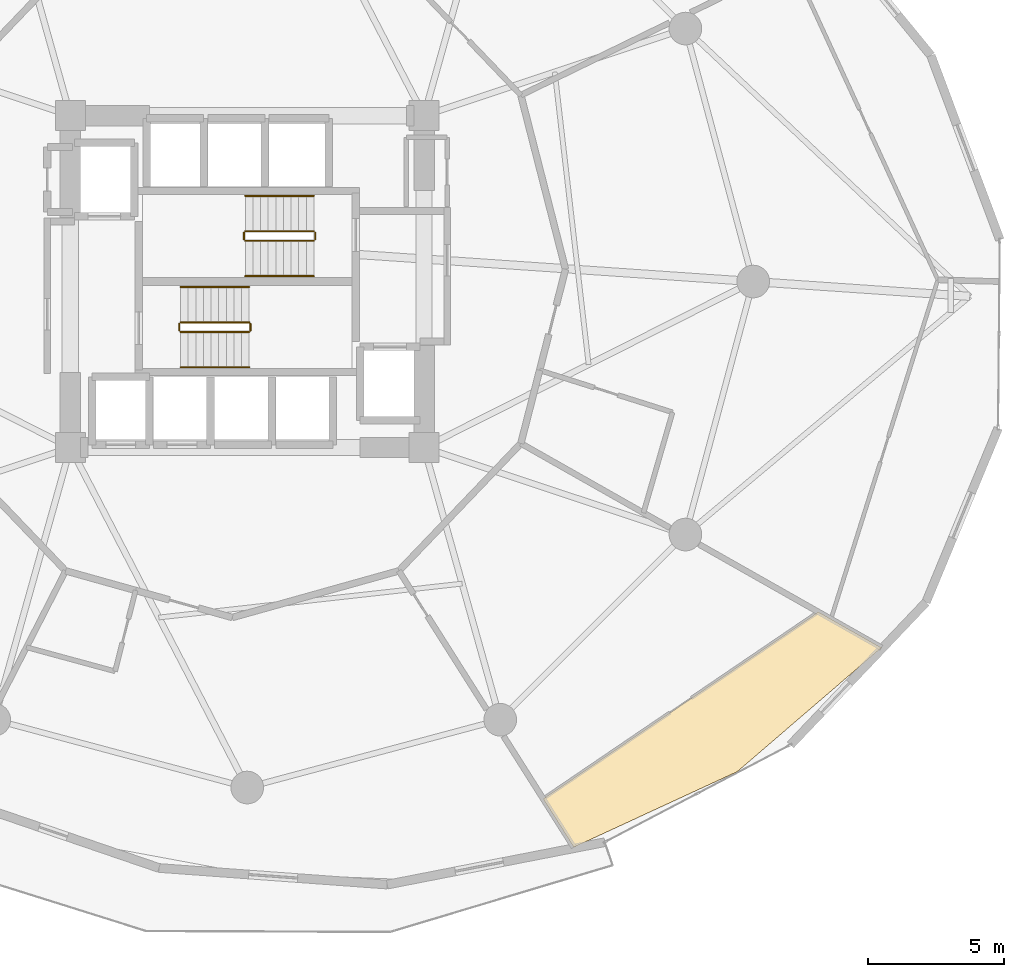
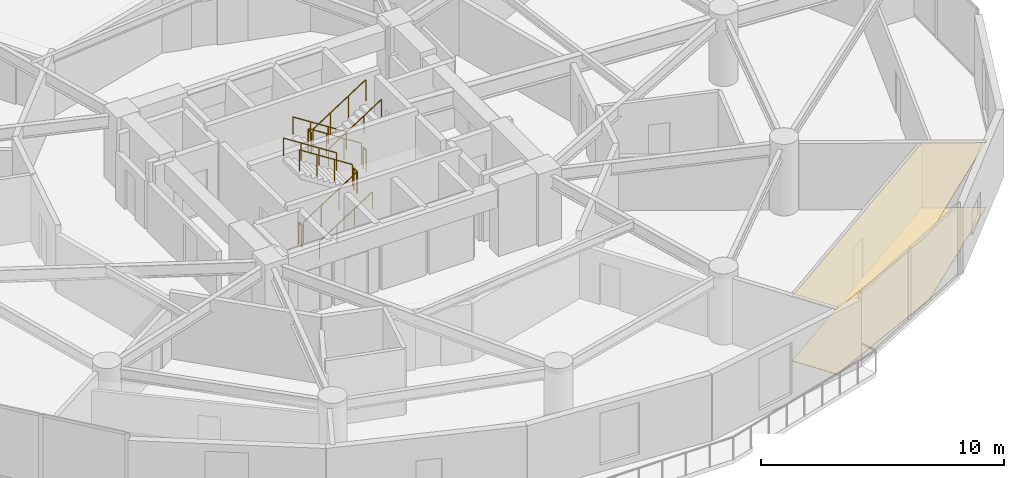
# One storey, part 19 of 20: 12 railings, 2 coverings.
"""IFC4 building model written with IfcOpenShell, lengths in metres."""

from ifc_helpers import new_model, si_unit, direction, frame, origin, origin_2d, place, context, subcontext, project, spatial, polyline, circle, outline, extrude, material, layer, layer_set, type_object, element, save


model = new_model("IFC4")

# Units and contexts
model_context = context("Model", 3, precision=1e-05, world=origin(), true_north=direction((0.0, 1.0)))
body_context = subcontext(model_context, "Body", "Model", "MODEL_VIEW")
ifc_project = project(units=[si_unit("LENGTHUNIT", "METRE"), si_unit("AREAUNIT", "SQUARE_METRE"), si_unit("VOLUMEUNIT", "CUBIC_METRE"), si_unit("PLANEANGLEUNIT", "RADIAN"), si_unit("MASSUNIT", "GRAM", prefix="KILO")], contexts=[model_context])

# Site, building, storey
site_placement = place(None, origin())
site = spatial("IfcSite", under=ifc_project, at=site_placement, CompositionType="ELEMENT")
building_placement = place(site_placement, origin())
building = spatial("IfcBuilding", under=site, at=building_placement, Name="Solvirekh Grand Hotel", CompositionType="ELEMENT")
storey_placement = place(building_placement, frame((0.0, 0.0, 50.0)))
storey = spatial("IfcBuildingStorey", under=building, at=storey_placement, Name="L11", CompositionType="ELEMENT", Elevation=50.0)

# Coverings
ifc_material_1 = material(Name="Acoustic Mineral Ceiling Tile")
ifc_layer_1 = layer(ifc_material_1, 0.02490234375)
ifc_layer_set_1 = layer_set([ifc_layer_1], Name="Acoustic Mineral Ceiling Tile")
covering_type_1 = type_object("IfcCoveringType", Name="Cov_Ceiling_Acoustic", PredefinedType="CEILING", material=ifc_layer_set_1)
covering_1_placement = place(storey_placement, frame((0.0, 0.0, 3.2900390625)))
element("IfcCovering", 1, at=covering_1_placement, inside=storey, type_object=covering_type_1, Name="L11 Diplomatic Suite 1303 Master Bedroom acoustic ceiling", PredefinedType="CEILING", context=body_context, shape_type="SweptSolid", body=[
    extrude(outline(polyline([(12.0048828125, -20.79296875), (18.014892578125, -18.014892578125), (23.31298828125, -13.4599609375), (20.993896484375, -12.14599609375), (10.8798828125, -19.014892578125), (12.0048828125, -20.79296875)])), origin(), (0.0, 0.0, 1.0), 0.01806640625),
])
ifc_material_2 = material(Name="Porcelain Stoneware Flooring", Category="masonry")
ifc_layer_2 = layer(ifc_material_2, 0.030029296875)
ifc_layer_set_2 = layer_set([ifc_layer_2], Name="Porcelain Stoneware Flooring")
covering_type_2 = type_object("IfcCoveringType", Name="Cov_Floor_Stone", PredefinedType="FLOORING", material=ifc_layer_set_2)
covering_2_placement = place(storey_placement, origin())
element("IfcCovering", 2, at=covering_2_placement, inside=storey, type_object=covering_type_2, Name="L11 Diplomatic Suite 1303 Master Bedroom polished granite flooring", PredefinedType="FLOORING", context=body_context, shape_type="SweptSolid", body=[
    extrude(outline(polyline([(12.0048828125, -20.79296875), (18.014892578125, -18.014892578125), (23.31298828125, -13.4599609375), (20.993896484375, -12.14599609375), (10.8798828125, -19.014892578125), (12.0048828125, -20.79296875)])), origin(), (0.0, 0.0, 1.0), 0.02001953125),
])

# Railings
ifc_material_3 = material(Name="Steel S355", Category="steel")
railing_type_1 = type_object("IfcRailingType", Name="Guard_Stair_1100", PredefinedType="GUARDRAIL", material=ifc_material_3)
railing_1_placement = place(storey_placement, frame((-2.449951171875, -1.85009765625, 0.179931640625)))
element("IfcRailing", 3, at=railing_1_placement, inside=storey, type_object=railing_type_1, Name="L11 ST-1 stair guard 1", PredefinedType="GUARDRAIL", context=body_context, shape_type="SweptSolid", body=[
    extrude(circle(Radius=0.02392578125, at=origin_2d()), frame((0.0, 0.0, 1.076171875), z_axis=(0.841162588446, 0.0, 0.540782303519), x_axis=(0.0, 1.0, 0.0)), (0.0, 0.0, 1.0), 2.995849609375),
    extrude(circle(Radius=0.02099609375, at=origin_2d()), origin(), (0.0, 0.0, 1.0), 1.052001953125),
    extrude(circle(Radius=0.02099609375, at=origin_2d()), frame((0.840087890625, 0.0, 0.5400390625)), (0.0, 0.0, 1.0), 1.052001953125),
    extrude(circle(Radius=0.02099609375, at=origin_2d()), frame((1.679931640625, 0.0, 1.080078125)), (0.0, 0.0, 1.0), 1.052001953125),
    extrude(circle(Radius=0.02099609375, at=origin_2d()), frame((2.52001953125, 0.0, 1.6201171875)), (0.0, 0.0, 1.0), 1.052001953125),
])
railing_2_placement = place(storey_placement, frame((0.1201171875, -1.800048828125, 1.800048828125)))
element("IfcRailing", 4, at=railing_2_placement, inside=storey, type_object=railing_type_1, Name="L11 ST-1 stair guard 2", PredefinedType="GUARDRAIL", context=body_context, shape_type="SweptSolid", body=[
    extrude(circle(Radius=0.02392578125, at=origin_2d()), frame((0.0, 0.0, 1.076171875), z_axis=(0.0, 1.0, 0.0), x_axis=(-1.0, 0.0, 0.0)), (0.0, 0.0, 1.0), 0.25),
    extrude(circle(Radius=0.02099609375, at=origin_2d()), origin(), (0.0, 0.0, 1.0), 1.052001953125),
    extrude(circle(Radius=0.02099609375, at=origin_2d()), frame((0.0, 0.25, 0.0)), (0.0, 0.0, 1.0), 1.052001953125),
])
railing_3_placement = place(storey_placement, frame((0.070068359375, -1.5, 1.97998046875)))
element("IfcRailing", 5, at=railing_3_placement, inside=storey, type_object=railing_type_1, Name="L11 ST-1 stair guard 3", PredefinedType="GUARDRAIL", context=body_context, shape_type="SweptSolid", body=[
    extrude(circle(Radius=0.02392578125, at=origin_2d()), frame((0.0, 0.0, 1.076171875), z_axis=(-0.841162588446, 0.0, 0.540782303519), x_axis=(0.0, -1.0, 0.0)), (0.0, 0.0, 1.0), 2.995849609375),
    extrude(circle(Radius=0.02099609375, at=origin_2d()), origin(), (0.0, 0.0, 1.0), 1.052001953125),
    extrude(circle(Radius=0.02099609375, at=origin_2d()), frame((-0.840087890625, 0.0, 0.5400390625)), (0.0, 0.0, 1.0), 1.052001953125),
    extrude(circle(Radius=0.02099609375, at=origin_2d()), frame((-1.679931640625, 0.0, 1.080078125)), (0.0, 0.0, 1.0), 1.052001953125),
    extrude(circle(Radius=0.02099609375, at=origin_2d()), frame((-2.52001953125, 0.0, 1.6201171875)), (0.0, 0.0, 1.0), 1.052001953125),
])
railing_4_placement = place(storey_placement, frame((-2.5, -1.800048828125, 0.0)))
element("IfcRailing", 6, at=railing_4_placement, inside=storey, type_object=railing_type_1, Name="L11 ST-1 stair guard 4", PredefinedType="GUARDRAIL", context=body_context, shape_type="SweptSolid", body=[
    extrude(circle(Radius=0.02392578125, at=origin_2d()), frame((0.0, 0.0, 1.076171875), z_axis=(0.0, 1.0, 0.0), x_axis=(-1.0, 0.0, 0.0)), (0.0, 0.0, 1.0), 0.25),
    extrude(circle(Radius=0.02099609375, at=origin_2d()), origin(), (0.0, 0.0, 1.0), 1.052001953125),
    extrude(circle(Radius=0.02099609375, at=origin_2d()), frame((0.0, 0.25, 0.0)), (0.0, 0.0, 1.0), 1.052001953125),
])
railing_5_placement = place(storey_placement, frame((2.449951171875, 1.85009765625, 0.179931640625)))
element("IfcRailing", 7, at=railing_5_placement, inside=storey, type_object=railing_type_1, Name="L11 ST-2 stair guard 1", PredefinedType="GUARDRAIL", context=body_context, shape_type="SweptSolid", body=[
    extrude(circle(Radius=0.02392578125, at=origin_2d()), frame((0.0, 0.0, 1.076171875), z_axis=(-0.841162588446, 0.0, 0.540782303519), x_axis=(0.0, -1.0, 0.0)), (0.0, 0.0, 1.0), 2.995849609375),
    extrude(circle(Radius=0.02099609375, at=origin_2d()), origin(), (0.0, 0.0, 1.0), 1.052001953125),
    extrude(circle(Radius=0.02099609375, at=origin_2d()), frame((-0.840087890625, 0.0, 0.5400390625)), (0.0, 0.0, 1.0), 1.052001953125),
    extrude(circle(Radius=0.02099609375, at=origin_2d()), frame((-1.679931640625, 0.0, 1.080078125)), (0.0, 0.0, 1.0), 1.052001953125),
    extrude(circle(Radius=0.02099609375, at=origin_2d()), frame((-2.52001953125, 0.0, 1.6201171875)), (0.0, 0.0, 1.0), 1.052001953125),
])
railing_6_placement = place(storey_placement, frame((-0.1201171875, 1.800048828125, 1.800048828125)))
element("IfcRailing", 8, at=railing_6_placement, inside=storey, type_object=railing_type_1, Name="L11 ST-2 stair guard 2", PredefinedType="GUARDRAIL", context=body_context, shape_type="SweptSolid", body=[
    extrude(circle(Radius=0.02392578125, at=origin_2d()), frame((0.0, 0.0, 1.076171875), z_axis=(0.0, -1.0, 0.0), x_axis=(1.0, 0.0, 0.0)), (0.0, 0.0, 1.0), 0.25),
    extrude(circle(Radius=0.02099609375, at=origin_2d()), origin(), (0.0, 0.0, 1.0), 1.052001953125),
    extrude(circle(Radius=0.02099609375, at=origin_2d()), frame((0.0, -0.25, 0.0)), (0.0, 0.0, 1.0), 1.052001953125),
])
railing_7_placement = place(storey_placement, frame((-0.070068359375, 1.5, 1.97998046875)))
element("IfcRailing", 9, at=railing_7_placement, inside=storey, type_object=railing_type_1, Name="L11 ST-2 stair guard 3", PredefinedType="GUARDRAIL", context=body_context, shape_type="SweptSolid", body=[
    extrude(circle(Radius=0.02392578125, at=origin_2d()), frame((0.0, 0.0, 1.076171875), z_axis=(0.841162588446, 0.0, 0.540782303519), x_axis=(0.0, 1.0, 0.0)), (0.0, 0.0, 1.0), 2.995849609375),
    extrude(circle(Radius=0.02099609375, at=origin_2d()), origin(), (0.0, 0.0, 1.0), 1.052001953125),
    extrude(circle(Radius=0.02099609375, at=origin_2d()), frame((0.840087890625, 0.0, 0.5400390625)), (0.0, 0.0, 1.0), 1.052001953125),
    extrude(circle(Radius=0.02099609375, at=origin_2d()), frame((1.679931640625, 0.0, 1.080078125)), (0.0, 0.0, 1.0), 1.052001953125),
    extrude(circle(Radius=0.02099609375, at=origin_2d()), frame((2.52001953125, 0.0, 1.6201171875)), (0.0, 0.0, 1.0), 1.052001953125),
])
railing_8_placement = place(storey_placement, frame((2.5, 1.800048828125, 0.0)))
element("IfcRailing", 10, at=railing_8_placement, inside=storey, type_object=railing_type_1, Name="L11 ST-2 stair guard 4", PredefinedType="GUARDRAIL", context=body_context, shape_type="SweptSolid", body=[
    extrude(circle(Radius=0.02392578125, at=origin_2d()), frame((0.0, 0.0, 1.076171875), z_axis=(0.0, -1.0, 0.0), x_axis=(1.0, 0.0, 0.0)), (0.0, 0.0, 1.0), 0.25),
    extrude(circle(Radius=0.02099609375, at=origin_2d()), origin(), (0.0, 0.0, 1.0), 1.052001953125),
    extrude(circle(Radius=0.02099609375, at=origin_2d()), frame((0.0, -0.25, 0.0)), (0.0, 0.0, 1.0), 1.052001953125),
])
ifc_material_4 = material(Name="Anodized Bronze Aluminium 6063-T6", Category="aluminium")
railing_type_2 = type_object("IfcRailingType", Name="Handrail_Wall_900", PredefinedType="HANDRAIL", material=ifc_material_4)
railing_9_placement = place(storey_placement, frame((-2.449951171875, -3.14990234375, 0.179931640625)))
element("IfcRailing", 11, at=railing_9_placement, inside=storey, type_object=railing_type_2, Name="L11 ST-1 stair handrail 1", PredefinedType="HANDRAIL", context=body_context, shape_type="SweptSolid", body=[
    extrude(circle(Radius=0.02392578125, at=origin_2d()), frame((0.0, 0.0, 0.8759765625), z_axis=(0.841162588446, 0.0, 0.540782303519), x_axis=(0.0, 1.0, 0.0)), (0.0, 0.0, 1.0), 2.995849609375),
    extrude(circle(Radius=0.02099609375, at=origin_2d()), origin(), (0.0, 0.0, 1.0), 0.851806640625),
    extrude(circle(Radius=0.02099609375, at=origin_2d()), frame((0.840087890625, 0.0, 0.5400390625)), (0.0, 0.0, 1.0), 0.851806640625),
    extrude(circle(Radius=0.02099609375, at=origin_2d()), frame((1.679931640625, 0.0, 1.080078125)), (0.0, 0.0, 1.0), 0.851806640625),
    extrude(circle(Radius=0.02099609375, at=origin_2d()), frame((2.52001953125, 0.0, 1.6201171875)), (0.0, 0.0, 1.0), 0.851806640625),
])
for number, where, name in (
    (12, (0.070068359375, -0.199951171875, 1.97998046875), "L11 ST-1 stair handrail 2"),
    (13, (2.449951171875, 3.14990234375, 0.179931640625), "L11 ST-2 stair handrail 1"),
):
    element("IfcRailing", number, at=place(storey_placement, frame(where)), inside=storey, type_object=railing_type_2, Name=name, PredefinedType="HANDRAIL", context=body_context, shape_type="SweptSolid", body=[
        extrude(circle(Radius=0.02392578125, at=origin_2d()), frame((0.0, 0.0, 0.8759765625), z_axis=(-0.841162588446, 0.0, 0.540782303519), x_axis=(0.0, -1.0, 0.0)), (0.0, 0.0, 1.0), 2.995849609375),
        extrude(circle(Radius=0.02099609375, at=origin_2d()), origin(), (0.0, 0.0, 1.0), 0.851806640625),
        extrude(circle(Radius=0.02099609375, at=origin_2d()), frame((-0.840087890625, 0.0, 0.5400390625)), (0.0, 0.0, 1.0), 0.851806640625),
        extrude(circle(Radius=0.02099609375, at=origin_2d()), frame((-1.679931640625, 0.0, 1.080078125)), (0.0, 0.0, 1.0), 0.851806640625),
        extrude(circle(Radius=0.02099609375, at=origin_2d()), frame((-2.52001953125, 0.0, 1.6201171875)), (0.0, 0.0, 1.0), 0.851806640625),
    ])
railing_10_placement = place(storey_placement, frame((-0.070068359375, 0.199951171875, 1.97998046875)))
element("IfcRailing", 14, at=railing_10_placement, inside=storey, type_object=railing_type_2, Name="L11 ST-2 stair handrail 2", PredefinedType="HANDRAIL", context=body_context, shape_type="SweptSolid", body=[
    extrude(circle(Radius=0.02392578125, at=origin_2d()), frame((0.0, 0.0, 0.8759765625), z_axis=(0.841162588446, 0.0, 0.540782303519), x_axis=(0.0, 1.0, 0.0)), (0.0, 0.0, 1.0), 2.995849609375),
    extrude(circle(Radius=0.02099609375, at=origin_2d()), origin(), (0.0, 0.0, 1.0), 0.851806640625),
    extrude(circle(Radius=0.02099609375, at=origin_2d()), frame((0.840087890625, 0.0, 0.5400390625)), (0.0, 0.0, 1.0), 0.851806640625),
    extrude(circle(Radius=0.02099609375, at=origin_2d()), frame((1.679931640625, 0.0, 1.080078125)), (0.0, 0.0, 1.0), 0.851806640625),
    extrude(circle(Radius=0.02099609375, at=origin_2d()), frame((2.52001953125, 0.0, 1.6201171875)), (0.0, 0.0, 1.0), 0.851806640625),
])

save(model, "model.ifc")
